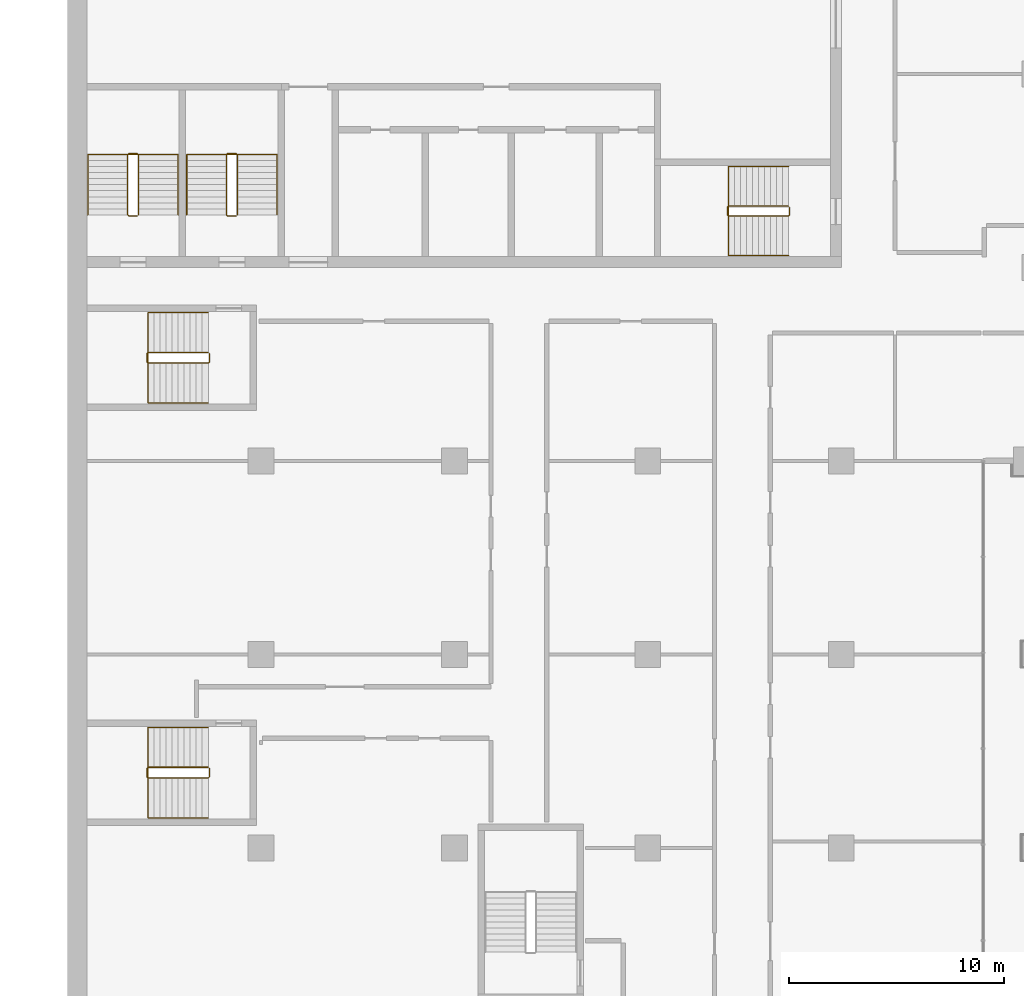
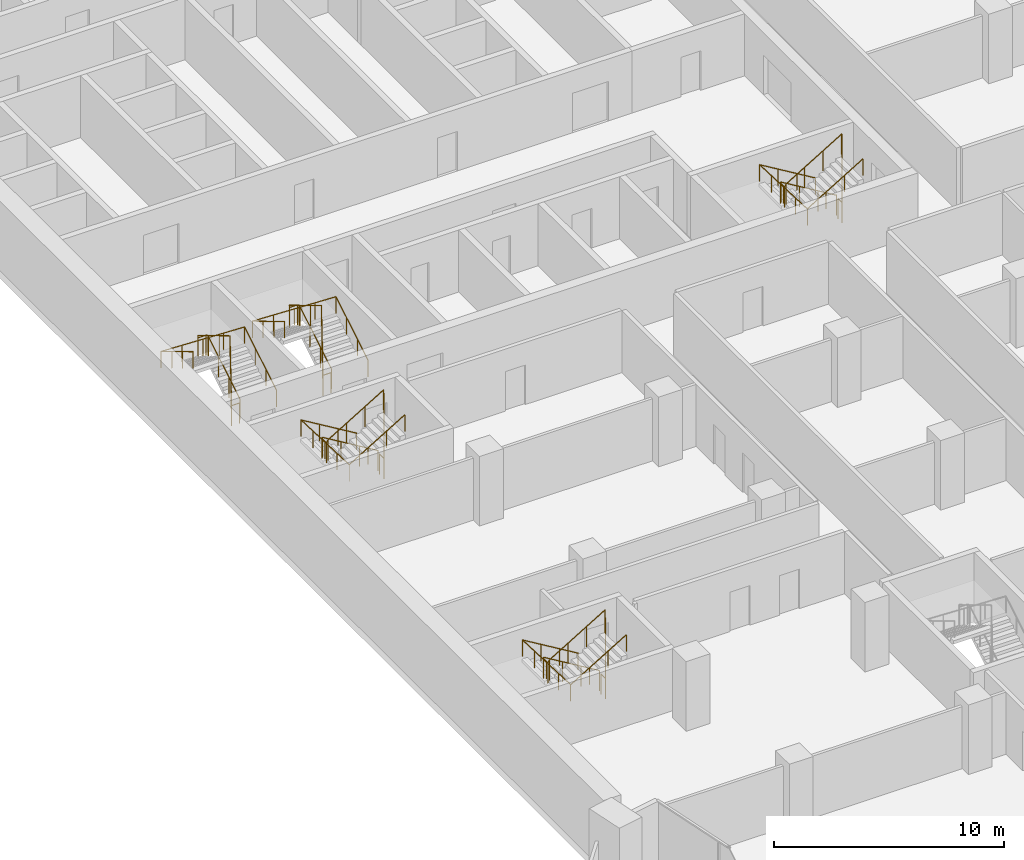
# One storey, part 21 of 23: 10 railings.
"""IFC4 building model written with IfcOpenShell, lengths in metres."""

from ifc_helpers import new_model, si_unit, direction, frame, origin, origin_2d, place, context, subcontext, project, spatial, circle, extrude, material, type_object, element, save


model = new_model("IFC4")

# Units and contexts
model_context = context("Model", 3, precision=1e-05, world=origin(), true_north=direction((0.0, 1.0)))
body_context = subcontext(model_context, "Body", "Model", "MODEL_VIEW")
ifc_project = project(units=[si_unit("LENGTHUNIT", "METRE"), si_unit("AREAUNIT", "SQUARE_METRE"), si_unit("VOLUMEUNIT", "CUBIC_METRE"), si_unit("PLANEANGLEUNIT", "RADIAN"), si_unit("MASSUNIT", "GRAM", prefix="KILO")], contexts=[model_context])

# Site, building, storey
site_placement = place(None, origin())
site = spatial("IfcSite", under=ifc_project, at=site_placement, CompositionType="ELEMENT")
building_placement = place(site_placement, origin())
building = spatial("IfcBuilding", under=site, at=building_placement, Name="Hunhe Ridgeline Campus", CompositionType="ELEMENT")
storey_placement = place(building_placement, frame((0.0, 0.0, 148.60009765625)))
storey = spatial("IfcBuildingStorey", under=building, at=storey_placement, Name="L37", CompositionType="ELEMENT", Elevation=148.60009765625)

# Railings
ifc_material_1 = material(Name="Stainless steel balustrade", Category="steel")
railing_type_1 = type_object("IfcRailingType", Name="Stair guard 1100 stainless", PredefinedType="GUARDRAIL", material=ifc_material_1)
railing_1_placement = place(storey_placement, frame((33.550048828125, 65.85009765625, 0.16796875)))
element("IfcRailing", 1, at=railing_1_placement, inside=storey, type_object=railing_type_1, Name="L37 stair S2 guard", PredefinedType="GUARDRAIL", context=body_context, shape_type="SweptSolid", body=[
    extrude(circle(Radius=0.02392578125, at=origin_2d()), frame((0.0, 0.0, 1.076171875), z_axis=(-0.857242210791, 0.0, 0.514913383045), x_axis=(0.0, -1.0, 0.0)), (0.0, 0.0, 1.0), 3.266357421875),
    extrude(circle(Radius=0.02392578125, at=origin_2d()), frame((-2.800048828125, 0.0, 2.7578125), z_axis=(-0.707106781187, -0.707106781187, 0.0), x_axis=(0.707106781187, -0.707106781187, 0.0)), (0.0, 0.0, 1.0), 0.07080078125),
    extrude(circle(Radius=0.02392578125, at=origin_2d()), frame((-2.85009765625, -0.050048828125, 2.7578125), z_axis=(0.0, -1.0, 0.0), x_axis=(1.0, 0.0, 0.0)), (0.0, 0.0, 1.0), 0.35009765625),
    extrude(circle(Radius=0.02392578125, at=origin_2d()), frame((-2.85009765625, -0.400146484375, 2.7578125), z_axis=(0.274243871929, -0.274243871929, 0.92172696468), x_axis=(0.707106781187, 0.707106781187, 0.0)), (0.0, 0.0, 1.0), 0.1826171875),
    extrude(circle(Radius=0.02392578125, at=origin_2d()), frame((-2.800048828125, -0.4501953125, 2.92626953125), z_axis=(0.857242210791, 0.0, 0.514913383045), x_axis=(0.0, 1.0, 0.0)), (0.0, 0.0, 1.0), 3.266357421875),
    extrude(circle(Radius=0.02392578125, at=origin_2d()), frame((0.0, -0.4501953125, 4.60791015625), z_axis=(0.013524414389, 0.013524414389, -0.999817073484), x_axis=(-0.707106781187, 0.707106781187, 0.0)), (0.0, 0.0, 1.0), 3.70068359375),
    extrude(circle(Radius=0.02392578125, at=origin_2d()), frame((0.050048828125, -0.400146484375, 0.908203125), z_axis=(0.0, 1.0, 0.0), x_axis=(-1.0, 0.0, 0.0)), (0.0, 0.0, 1.0), 0.35009765625),
    extrude(circle(Radius=0.02099609375, at=origin_2d()), origin(), (0.0, 0.0, 1.0), 1.052001953125),
    extrude(circle(Radius=0.02099609375, at=origin_2d()), frame((-0.933349609375, 0.0, 0.560546875)), (0.0, 0.0, 1.0), 1.052001953125),
    extrude(circle(Radius=0.02099609375, at=origin_2d()), frame((-1.86669921875, 0.0, 1.121337890625)), (0.0, 0.0, 1.0), 1.052001953125),
    extrude(circle(Radius=0.02099609375, at=origin_2d()), frame((-2.800048828125, 0.0, 1.681884765625)), (0.0, 0.0, 1.0), 1.052001953125),
    extrude(circle(Radius=0.02099609375, at=origin_2d()), frame((-2.85009765625, -0.050048828125, 1.681884765625)), (0.0, 0.0, 1.0), 1.052001953125),
    extrude(circle(Radius=0.02099609375, at=origin_2d()), frame((-2.85009765625, -0.400146484375, 1.681884765625)), (0.0, 0.0, 1.0), 1.052001953125),
    extrude(circle(Radius=0.02099609375, at=origin_2d()), frame((-2.800048828125, -0.4501953125, 1.85009765625)), (0.0, 0.0, 1.0), 1.052001953125),
    extrude(circle(Radius=0.02099609375, at=origin_2d()), frame((-1.86669921875, -0.4501953125, 2.41064453125)), (0.0, 0.0, 1.0), 1.052001953125),
    extrude(circle(Radius=0.02099609375, at=origin_2d()), frame((-0.933349609375, -0.4501953125, 2.971435546875)), (0.0, 0.0, 1.0), 1.052001953125),
    extrude(circle(Radius=0.02099609375, at=origin_2d()), frame((0.0, -0.4501953125, 3.531982421875)), (0.0, 0.0, 1.0), 1.052001953125),
    extrude(circle(Radius=0.02099609375, at=origin_2d()), frame((0.012451171875, -0.437744140625, 2.60693359375)), (0.0, 0.0, 1.0), 1.052001953125),
    extrude(circle(Radius=0.02099609375, at=origin_2d()), frame((0.02490234375, -0.42529296875, 1.68212890625)), (0.0, 0.0, 1.0), 1.052001953125),
    extrude(circle(Radius=0.02099609375, at=origin_2d()), frame((0.03759765625, -0.41259765625, 0.757080078125)), (0.0, 0.0, 1.0), 1.052001953125),
    extrude(circle(Radius=0.02099609375, at=origin_2d()), frame((0.050048828125, -0.400146484375, -0.16796875)), (0.0, 0.0, 1.0), 1.052001953125),
    extrude(circle(Radius=0.02099609375, at=origin_2d()), frame((0.050048828125, -0.050048828125, -0.16796875)), (0.0, 0.0, 1.0), 1.052001953125),
])
railing_2_placement = place(storey_placement, frame((3.300048828125, 65.449951171875, 0.16796875)))
element("IfcRailing", 2, at=railing_2_placement, inside=storey, type_object=railing_type_1, Name="L37 stair S3 guard", PredefinedType="GUARDRAIL", context=body_context, shape_type="SweptSolid", body=[
    extrude(circle(Radius=0.02392578125, at=origin_2d()), frame((0.0, 0.0, 1.076171875), z_axis=(0.0, 0.857242210791, 0.514913383045), x_axis=(-1.0, 0.0, 0.0)), (0.0, 0.0, 1.0), 3.266357421875),
    extrude(circle(Radius=0.02392578125, at=origin_2d()), frame((0.0, 2.800048828125, 2.7578125), z_axis=(-0.707106781187, 0.707106781187, 0.0), x_axis=(-0.707106781187, -0.707106781187, 0.0)), (0.0, 0.0, 1.0), 0.07080078125),
    extrude(circle(Radius=0.02392578125, at=origin_2d()), frame((-0.050048828125, 2.85009765625, 2.7578125), z_axis=(-1.0, 0.0, 0.0), x_axis=(0.0, -1.0, 0.0)), (0.0, 0.0, 1.0), 0.39990234375),
    extrude(circle(Radius=0.02392578125, at=origin_2d()), frame((-0.449951171875, 2.85009765625, 2.7578125), z_axis=(-0.274243871929, -0.274243871929, 0.92172696468), x_axis=(0.707106781187, -0.707106781187, 0.0)), (0.0, 0.0, 1.0), 0.1826171875),
    extrude(circle(Radius=0.02392578125, at=origin_2d()), frame((-0.5, 2.800048828125, 2.92626953125), z_axis=(0.0, -0.857242210791, 0.514913383045), x_axis=(1.0, 0.0, 0.0)), (0.0, 0.0, 1.0), 3.266357421875),
    extrude(circle(Radius=0.02392578125, at=origin_2d()), frame((-0.5, 0.0, 4.60791015625), z_axis=(0.013524414389, -0.013524414389, -0.999817073484), x_axis=(0.707106781187, 0.707106781187, 0.0)), (0.0, 0.0, 1.0), 3.70068359375),
    extrude(circle(Radius=0.02392578125, at=origin_2d()), frame((-0.449951171875, -0.050048828125, 0.908203125), z_axis=(1.0, 0.0, 0.0), x_axis=(0.0, 1.0, 0.0)), (0.0, 0.0, 1.0), 0.39990234375),
    extrude(circle(Radius=0.02099609375, at=origin_2d()), origin(), (0.0, 0.0, 1.0), 1.052001953125),
    extrude(circle(Radius=0.02099609375, at=origin_2d()), frame((0.0, 0.933349609375, 0.560546875)), (0.0, 0.0, 1.0), 1.052001953125),
    extrude(circle(Radius=0.02099609375, at=origin_2d()), frame((0.0, 1.86669921875, 1.121337890625)), (0.0, 0.0, 1.0), 1.052001953125),
    extrude(circle(Radius=0.02099609375, at=origin_2d()), frame((0.0, 2.800048828125, 1.681884765625)), (0.0, 0.0, 1.0), 1.052001953125),
    extrude(circle(Radius=0.02099609375, at=origin_2d()), frame((-0.050048828125, 2.85009765625, 1.681884765625)), (0.0, 0.0, 1.0), 1.052001953125),
    extrude(circle(Radius=0.02099609375, at=origin_2d()), frame((-0.449951171875, 2.85009765625, 1.681884765625)), (0.0, 0.0, 1.0), 1.052001953125),
    extrude(circle(Radius=0.02099609375, at=origin_2d()), frame((-0.5, 2.800048828125, 1.85009765625)), (0.0, 0.0, 1.0), 1.052001953125),
    extrude(circle(Radius=0.02099609375, at=origin_2d()), frame((-0.5, 1.86669921875, 2.41064453125)), (0.0, 0.0, 1.0), 1.052001953125),
    extrude(circle(Radius=0.02099609375, at=origin_2d()), frame((-0.5, 0.933349609375, 2.971435546875)), (0.0, 0.0, 1.0), 1.052001953125),
    extrude(circle(Radius=0.02099609375, at=origin_2d()), frame((-0.5, 0.0, 3.531982421875)), (0.0, 0.0, 1.0), 1.052001953125),
    extrude(circle(Radius=0.02099609375, at=origin_2d()), frame((-0.487548828125, -0.012451171875, 2.60693359375)), (0.0, 0.0, 1.0), 1.052001953125),
    extrude(circle(Radius=0.02099609375, at=origin_2d()), frame((-0.47509765625, -0.02490234375, 1.68212890625)), (0.0, 0.0, 1.0), 1.052001953125),
    extrude(circle(Radius=0.02099609375, at=origin_2d()), frame((-0.46240234375, -0.03759765625, 0.757080078125)), (0.0, 0.0, 1.0), 1.052001953125),
    extrude(circle(Radius=0.02099609375, at=origin_2d()), frame((-0.449951171875, -0.050048828125, -0.16796875)), (0.0, 0.0, 1.0), 1.052001953125),
    extrude(circle(Radius=0.02099609375, at=origin_2d()), frame((-0.050048828125, -0.050048828125, -0.16796875)), (0.0, 0.0, 1.0), 1.052001953125),
])
railing_3_placement = place(storey_placement, frame((7.89990234375, 65.449951171875, 0.16796875)))
element("IfcRailing", 3, at=railing_3_placement, inside=storey, type_object=railing_type_1, Name="L37 stair S4 guard", PredefinedType="GUARDRAIL", context=body_context, shape_type="SweptSolid", body=[
    extrude(circle(Radius=0.02392578125, at=origin_2d()), frame((0.0, 0.0, 1.076171875), z_axis=(0.0, 0.857242210791, 0.514913383045), x_axis=(-1.0, 0.0, 0.0)), (0.0, 0.0, 1.0), 3.266357421875),
    extrude(circle(Radius=0.02392578125, at=origin_2d()), frame((0.0, 2.800048828125, 2.7578125), z_axis=(-0.705375805398, 0.708833529934, 0.0), x_axis=(-0.708833529934, -0.705375805398, 0.0)), (0.0, 0.0, 1.0), 0.070556640625),
    extrude(circle(Radius=0.02392578125, at=origin_2d()), frame((-0.0498046875, 2.85009765625, 2.7578125), z_axis=(-1.0, 0.0, 0.0), x_axis=(0.0, -1.0, 0.0)), (0.0, 0.0, 1.0), 0.400146484375),
    extrude(circle(Radius=0.02392578125, at=origin_2d()), frame((-0.449951171875, 2.85009765625, 2.7578125), z_axis=(-0.274243871929, -0.274243871929, 0.92172696468), x_axis=(0.707106781187, -0.707106781187, 0.0)), (0.0, 0.0, 1.0), 0.1826171875),
    extrude(circle(Radius=0.02392578125, at=origin_2d()), frame((-0.5, 2.800048828125, 2.92626953125), z_axis=(0.0, -0.857242210791, 0.514913383045), x_axis=(1.0, 0.0, 0.0)), (0.0, 0.0, 1.0), 3.266357421875),
    extrude(circle(Radius=0.02392578125, at=origin_2d()), frame((-0.5, 0.0, 4.60791015625), z_axis=(0.013524414389, -0.013524414389, -0.999817073484), x_axis=(0.707106781187, 0.707106781187, 0.0)), (0.0, 0.0, 1.0), 3.70068359375),
    extrude(circle(Radius=0.02392578125, at=origin_2d()), frame((-0.449951171875, -0.050048828125, 0.908203125), z_axis=(1.0, 0.0, 0.0), x_axis=(0.0, 1.0, 0.0)), (0.0, 0.0, 1.0), 0.400146484375),
    extrude(circle(Radius=0.02099609375, at=origin_2d()), origin(), (0.0, 0.0, 1.0), 1.052001953125),
    extrude(circle(Radius=0.02099609375, at=origin_2d()), frame((0.0, 0.933349609375, 0.560546875)), (0.0, 0.0, 1.0), 1.052001953125),
    extrude(circle(Radius=0.02099609375, at=origin_2d()), frame((0.0, 1.86669921875, 1.121337890625)), (0.0, 0.0, 1.0), 1.052001953125),
    extrude(circle(Radius=0.02099609375, at=origin_2d()), frame((0.0, 2.800048828125, 1.681884765625)), (0.0, 0.0, 1.0), 1.052001953125),
    extrude(circle(Radius=0.02099609375, at=origin_2d()), frame((-0.0498046875, 2.85009765625, 1.681884765625)), (0.0, 0.0, 1.0), 1.052001953125),
    extrude(circle(Radius=0.02099609375, at=origin_2d()), frame((-0.449951171875, 2.85009765625, 1.681884765625)), (0.0, 0.0, 1.0), 1.052001953125),
    extrude(circle(Radius=0.02099609375, at=origin_2d()), frame((-0.5, 2.800048828125, 1.85009765625)), (0.0, 0.0, 1.0), 1.052001953125),
    extrude(circle(Radius=0.02099609375, at=origin_2d()), frame((-0.5, 1.86669921875, 2.41064453125)), (0.0, 0.0, 1.0), 1.052001953125),
    extrude(circle(Radius=0.02099609375, at=origin_2d()), frame((-0.5, 0.933349609375, 2.971435546875)), (0.0, 0.0, 1.0), 1.052001953125),
    extrude(circle(Radius=0.02099609375, at=origin_2d()), frame((-0.5, 0.0, 3.531982421875)), (0.0, 0.0, 1.0), 1.052001953125),
    extrude(circle(Radius=0.02099609375, at=origin_2d()), frame((-0.487548828125, -0.012451171875, 2.60693359375)), (0.0, 0.0, 1.0), 1.052001953125),
    extrude(circle(Radius=0.02099609375, at=origin_2d()), frame((-0.47509765625, -0.02490234375, 1.68212890625)), (0.0, 0.0, 1.0), 1.052001953125),
    extrude(circle(Radius=0.02099609375, at=origin_2d()), frame((-0.46240234375, -0.03759765625, 0.757080078125)), (0.0, 0.0, 1.0), 1.052001953125),
    extrude(circle(Radius=0.02099609375, at=origin_2d()), frame((-0.449951171875, -0.050048828125, -0.16796875)), (0.0, 0.0, 1.0), 1.052001953125),
    extrude(circle(Radius=0.02099609375, at=origin_2d()), frame((-0.0498046875, -0.050048828125, -0.16796875)), (0.0, 0.0, 1.0), 1.052001953125),
])
railing_4_placement = place(storey_placement, frame((6.550048828125, 39.75, 0.16796875)))
element("IfcRailing", 4, at=railing_4_placement, inside=storey, type_object=railing_type_1, Name="L37 stair W1 guard", PredefinedType="GUARDRAIL", context=body_context, shape_type="SweptSolid", body=[
    extrude(circle(Radius=0.02392578125, at=origin_2d()), frame((0.0, 0.0, 1.076171875), z_axis=(-0.857242210791, 0.0, 0.514913383045), x_axis=(0.0, -1.0, 0.0)), (0.0, 0.0, 1.0), 3.266357421875),
    extrude(circle(Radius=0.02392578125, at=origin_2d()), frame((-2.800048828125, 0.0, 2.7578125), z_axis=(-0.707106781187, -0.707106781187, 0.0), x_axis=(0.707106781187, -0.707106781187, 0.0)), (0.0, 0.0, 1.0), 0.07080078125),
    extrude(circle(Radius=0.02392578125, at=origin_2d()), frame((-2.85009765625, -0.050048828125, 2.7578125), z_axis=(0.0, -1.0, 0.0), x_axis=(1.0, 0.0, 0.0)), (0.0, 0.0, 1.0), 0.39990234375),
    extrude(circle(Radius=0.02392578125, at=origin_2d()), frame((-2.85009765625, -0.449951171875, 2.7578125), z_axis=(0.274243871929, -0.274243871929, 0.92172696468), x_axis=(0.707106781187, 0.707106781187, 0.0)), (0.0, 0.0, 1.0), 0.1826171875),
    extrude(circle(Radius=0.02392578125, at=origin_2d()), frame((-2.800048828125, -0.5, 2.92626953125), z_axis=(0.857242210791, 0.0, 0.514913383045), x_axis=(0.0, 1.0, 0.0)), (0.0, 0.0, 1.0), 3.266357421875),
    extrude(circle(Radius=0.02392578125, at=origin_2d()), frame((0.0, -0.5, 4.60791015625), z_axis=(0.013524414389, 0.013524414389, -0.999817073484), x_axis=(-0.707106781187, 0.707106781187, 0.0)), (0.0, 0.0, 1.0), 3.70068359375),
    extrude(circle(Radius=0.02392578125, at=origin_2d()), frame((0.050048828125, -0.449951171875, 0.908203125), z_axis=(0.0, 1.0, 0.0), x_axis=(-1.0, 0.0, 0.0)), (0.0, 0.0, 1.0), 0.39990234375),
    extrude(circle(Radius=0.02099609375, at=origin_2d()), origin(), (0.0, 0.0, 1.0), 1.052001953125),
    extrude(circle(Radius=0.02099609375, at=origin_2d()), frame((-0.933349609375, 0.0, 0.560546875)), (0.0, 0.0, 1.0), 1.052001953125),
    extrude(circle(Radius=0.02099609375, at=origin_2d()), frame((-1.86669921875, 0.0, 1.121337890625)), (0.0, 0.0, 1.0), 1.052001953125),
    extrude(circle(Radius=0.02099609375, at=origin_2d()), frame((-2.800048828125, 0.0, 1.681884765625)), (0.0, 0.0, 1.0), 1.052001953125),
    extrude(circle(Radius=0.02099609375, at=origin_2d()), frame((-2.85009765625, -0.050048828125, 1.681884765625)), (0.0, 0.0, 1.0), 1.052001953125),
    extrude(circle(Radius=0.02099609375, at=origin_2d()), frame((-2.85009765625, -0.449951171875, 1.681884765625)), (0.0, 0.0, 1.0), 1.052001953125),
    extrude(circle(Radius=0.02099609375, at=origin_2d()), frame((-2.800048828125, -0.5, 1.85009765625)), (0.0, 0.0, 1.0), 1.052001953125),
    extrude(circle(Radius=0.02099609375, at=origin_2d()), frame((-1.86669921875, -0.5, 2.41064453125)), (0.0, 0.0, 1.0), 1.052001953125),
    extrude(circle(Radius=0.02099609375, at=origin_2d()), frame((-0.933349609375, -0.5, 2.971435546875)), (0.0, 0.0, 1.0), 1.052001953125),
    extrude(circle(Radius=0.02099609375, at=origin_2d()), frame((0.0, -0.5, 3.531982421875)), (0.0, 0.0, 1.0), 1.052001953125),
    extrude(circle(Radius=0.02099609375, at=origin_2d()), frame((0.012451171875, -0.487548828125, 2.60693359375)), (0.0, 0.0, 1.0), 1.052001953125),
    extrude(circle(Radius=0.02099609375, at=origin_2d()), frame((0.02490234375, -0.47509765625, 1.68212890625)), (0.0, 0.0, 1.0), 1.052001953125),
    extrude(circle(Radius=0.02099609375, at=origin_2d()), frame((0.03759765625, -0.46240234375, 0.757080078125)), (0.0, 0.0, 1.0), 1.052001953125),
    extrude(circle(Radius=0.02099609375, at=origin_2d()), frame((0.050048828125, -0.449951171875, -0.16796875)), (0.0, 0.0, 1.0), 1.052001953125),
    extrude(circle(Radius=0.02099609375, at=origin_2d()), frame((0.050048828125, -0.050048828125, -0.16796875)), (0.0, 0.0, 1.0), 1.052001953125),
])
railing_5_placement = place(storey_placement, frame((6.550048828125, 59.050048828125, 0.16796875)))
element("IfcRailing", 5, at=railing_5_placement, inside=storey, type_object=railing_type_1, Name="L37 stair W2 guard", PredefinedType="GUARDRAIL", context=body_context, shape_type="SweptSolid", body=[
    extrude(circle(Radius=0.02392578125, at=origin_2d()), frame((0.0, 0.0, 1.076171875), z_axis=(-0.857242210791, 0.0, 0.514913383045), x_axis=(0.0, -1.0, 0.0)), (0.0, 0.0, 1.0), 3.266357421875),
    extrude(circle(Radius=0.02392578125, at=origin_2d()), frame((-2.800048828125, 0.0, 2.7578125), z_axis=(-0.707106781187, -0.707106781187, 0.0), x_axis=(0.707106781187, -0.707106781187, 0.0)), (0.0, 0.0, 1.0), 0.07080078125),
    extrude(circle(Radius=0.02392578125, at=origin_2d()), frame((-2.85009765625, -0.050048828125, 2.7578125), z_axis=(0.0, -1.0, 0.0), x_axis=(1.0, 0.0, 0.0)), (0.0, 0.0, 1.0), 0.39990234375),
    extrude(circle(Radius=0.02392578125, at=origin_2d()), frame((-2.85009765625, -0.449951171875, 2.7578125), z_axis=(0.274243871929, -0.274243871929, 0.92172696468), x_axis=(0.707106781187, 0.707106781187, 0.0)), (0.0, 0.0, 1.0), 0.1826171875),
    extrude(circle(Radius=0.02392578125, at=origin_2d()), frame((-2.800048828125, -0.5, 2.92626953125), z_axis=(0.857242210791, 0.0, 0.514913383045), x_axis=(0.0, 1.0, 0.0)), (0.0, 0.0, 1.0), 3.266357421875),
    extrude(circle(Radius=0.02392578125, at=origin_2d()), frame((0.0, -0.5, 4.60791015625), z_axis=(0.013524414389, 0.013524414389, -0.999817073484), x_axis=(-0.707106781187, 0.707106781187, 0.0)), (0.0, 0.0, 1.0), 3.70068359375),
    extrude(circle(Radius=0.02392578125, at=origin_2d()), frame((0.050048828125, -0.449951171875, 0.908203125), z_axis=(0.0, 1.0, 0.0), x_axis=(-1.0, 0.0, 0.0)), (0.0, 0.0, 1.0), 0.39990234375),
    extrude(circle(Radius=0.02099609375, at=origin_2d()), origin(), (0.0, 0.0, 1.0), 1.052001953125),
    extrude(circle(Radius=0.02099609375, at=origin_2d()), frame((-0.933349609375, 0.0, 0.560546875)), (0.0, 0.0, 1.0), 1.052001953125),
    extrude(circle(Radius=0.02099609375, at=origin_2d()), frame((-1.86669921875, 0.0, 1.121337890625)), (0.0, 0.0, 1.0), 1.052001953125),
    extrude(circle(Radius=0.02099609375, at=origin_2d()), frame((-2.800048828125, 0.0, 1.681884765625)), (0.0, 0.0, 1.0), 1.052001953125),
    extrude(circle(Radius=0.02099609375, at=origin_2d()), frame((-2.85009765625, -0.050048828125, 1.681884765625)), (0.0, 0.0, 1.0), 1.052001953125),
    extrude(circle(Radius=0.02099609375, at=origin_2d()), frame((-2.85009765625, -0.449951171875, 1.681884765625)), (0.0, 0.0, 1.0), 1.052001953125),
    extrude(circle(Radius=0.02099609375, at=origin_2d()), frame((-2.800048828125, -0.5, 1.85009765625)), (0.0, 0.0, 1.0), 1.052001953125),
    extrude(circle(Radius=0.02099609375, at=origin_2d()), frame((-1.86669921875, -0.5, 2.41064453125)), (0.0, 0.0, 1.0), 1.052001953125),
    extrude(circle(Radius=0.02099609375, at=origin_2d()), frame((-0.933349609375, -0.5, 2.971435546875)), (0.0, 0.0, 1.0), 1.052001953125),
    extrude(circle(Radius=0.02099609375, at=origin_2d()), frame((0.0, -0.5, 3.531982421875)), (0.0, 0.0, 1.0), 1.052001953125),
    extrude(circle(Radius=0.02099609375, at=origin_2d()), frame((0.012451171875, -0.487548828125, 2.60693359375)), (0.0, 0.0, 1.0), 1.052001953125),
    extrude(circle(Radius=0.02099609375, at=origin_2d()), frame((0.02490234375, -0.47509765625, 1.68212890625)), (0.0, 0.0, 1.0), 1.052001953125),
    extrude(circle(Radius=0.02099609375, at=origin_2d()), frame((0.03759765625, -0.46240234375, 0.757080078125)), (0.0, 0.0, 1.0), 1.052001953125),
    extrude(circle(Radius=0.02099609375, at=origin_2d()), frame((0.050048828125, -0.449951171875, -0.16796875)), (0.0, 0.0, 1.0), 1.052001953125),
    extrude(circle(Radius=0.02099609375, at=origin_2d()), frame((0.050048828125, -0.050048828125, -0.16796875)), (0.0, 0.0, 1.0), 1.052001953125),
])
ifc_material_2 = material(Name="Stainless steel handrail", Category="steel")
railing_type_2 = type_object("IfcRailingType", Name="Stair handrail 900 stainless", PredefinedType="HANDRAIL", material=ifc_material_2)
railing_6_placement = place(storey_placement, frame((33.550048828125, 67.699951171875, 0.16796875)))
element("IfcRailing", 6, at=railing_6_placement, inside=storey, type_object=railing_type_2, Name="L37 stair S2 handrail", PredefinedType="HANDRAIL", context=body_context, shape_type="SweptSolid", body=[
    extrude(circle(Radius=0.02392578125, at=origin_2d()), frame((0.0, 0.0, 0.8759765625), z_axis=(-0.857242210791, 0.0, 0.514913383045), x_axis=(0.0, -1.0, 0.0)), (0.0, 0.0, 1.0), 3.266357421875),
    extrude(circle(Radius=0.02392578125, at=origin_2d()), frame((-2.800048828125, 0.0, 2.5576171875), z_axis=(0.0, -0.99917950104, 0.040500922239), x_axis=(1.0, 0.0, 0.0)), (0.0, 0.0, 1.0), 4.1533203125),
    extrude(circle(Radius=0.02392578125, at=origin_2d()), frame((-2.800048828125, -4.14990234375, 2.72607421875), z_axis=(0.857242210791, 0.0, 0.514913383045), x_axis=(0.0, 1.0, 0.0)), (0.0, 0.0, 1.0), 3.266357421875),
    extrude(circle(Radius=0.02099609375, at=origin_2d()), origin(), (0.0, 0.0, 1.0), 0.851806640625),
    extrude(circle(Radius=0.02099609375, at=origin_2d()), frame((-0.933349609375, 0.0, 0.560546875)), (0.0, 0.0, 1.0), 0.851806640625),
    extrude(circle(Radius=0.02099609375, at=origin_2d()), frame((-1.86669921875, 0.0, 1.121337890625)), (0.0, 0.0, 1.0), 0.851806640625),
    extrude(circle(Radius=0.02099609375, at=origin_2d()), frame((-2.800048828125, 0.0, 1.681884765625)), (0.0, 0.0, 1.0), 0.851806640625),
    extrude(circle(Radius=0.02099609375, at=origin_2d()), frame((-2.800048828125, -1.03759765625, 1.723876953125)), (0.0, 0.0, 1.0), 0.851806640625),
    extrude(circle(Radius=0.02099609375, at=origin_2d()), frame((-2.800048828125, -2.074951171875, 1.76611328125)), (0.0, 0.0, 1.0), 0.851806640625),
    extrude(circle(Radius=0.02099609375, at=origin_2d()), frame((-2.800048828125, -3.1123046875, 1.80810546875)), (0.0, 0.0, 1.0), 0.851806640625),
    extrude(circle(Radius=0.02099609375, at=origin_2d()), frame((-2.800048828125, -4.14990234375, 1.85009765625)), (0.0, 0.0, 1.0), 0.851806640625),
    extrude(circle(Radius=0.02099609375, at=origin_2d()), frame((-1.86669921875, -4.14990234375, 2.41064453125)), (0.0, 0.0, 1.0), 0.851806640625),
    extrude(circle(Radius=0.02099609375, at=origin_2d()), frame((-0.933349609375, -4.14990234375, 2.971435546875)), (0.0, 0.0, 1.0), 0.851806640625),
    extrude(circle(Radius=0.02099609375, at=origin_2d()), frame((0.0, -4.14990234375, 3.531982421875)), (0.0, 0.0, 1.0), 0.851806640625),
])
railing_7_placement = place(storey_placement, frame((5.14990234375, 65.449951171875, 0.16796875)))
element("IfcRailing", 7, at=railing_7_placement, inside=storey, type_object=railing_type_2, Name="L37 stair S3 handrail", PredefinedType="HANDRAIL", context=body_context, shape_type="SweptSolid", body=[
    extrude(circle(Radius=0.02392578125, at=origin_2d()), frame((0.0, 0.0, 0.8759765625), z_axis=(0.0, 0.857242210791, 0.514913383045), x_axis=(-1.0, 0.0, 0.0)), (0.0, 0.0, 1.0), 3.266357421875),
    extrude(circle(Radius=0.02392578125, at=origin_2d()), frame((0.0, 2.800048828125, 2.5576171875), z_axis=(-0.999198916169, 0.0, 0.040019069537), x_axis=(0.0, -1.0, 0.0)), (0.0, 0.0, 1.0), 4.203369140625),
    extrude(circle(Radius=0.02392578125, at=origin_2d()), frame((-4.199951171875, 2.800048828125, 2.72607421875), z_axis=(0.0, -0.857242210791, 0.514913383045), x_axis=(1.0, 0.0, 0.0)), (0.0, 0.0, 1.0), 3.266357421875),
    extrude(circle(Radius=0.02099609375, at=origin_2d()), origin(), (0.0, 0.0, 1.0), 0.851806640625),
    extrude(circle(Radius=0.02099609375, at=origin_2d()), frame((0.0, 0.933349609375, 0.560546875)), (0.0, 0.0, 1.0), 0.851806640625),
    extrude(circle(Radius=0.02099609375, at=origin_2d()), frame((0.0, 1.86669921875, 1.121337890625)), (0.0, 0.0, 1.0), 0.851806640625),
    extrude(circle(Radius=0.02099609375, at=origin_2d()), frame((0.0, 2.800048828125, 1.681884765625)), (0.0, 0.0, 1.0), 0.851806640625),
    extrude(circle(Radius=0.02099609375, at=origin_2d()), frame((-1.050048828125, 2.800048828125, 1.723876953125)), (0.0, 0.0, 1.0), 0.851806640625),
    extrude(circle(Radius=0.02099609375, at=origin_2d()), frame((-2.10009765625, 2.800048828125, 1.76611328125)), (0.0, 0.0, 1.0), 0.851806640625),
    extrude(circle(Radius=0.02099609375, at=origin_2d()), frame((-3.14990234375, 2.800048828125, 1.80810546875)), (0.0, 0.0, 1.0), 0.851806640625),
    extrude(circle(Radius=0.02099609375, at=origin_2d()), frame((-4.199951171875, 2.800048828125, 1.85009765625)), (0.0, 0.0, 1.0), 0.851806640625),
    extrude(circle(Radius=0.02099609375, at=origin_2d()), frame((-4.199951171875, 1.86669921875, 2.41064453125)), (0.0, 0.0, 1.0), 0.851806640625),
    extrude(circle(Radius=0.02099609375, at=origin_2d()), frame((-4.199951171875, 0.933349609375, 2.971435546875)), (0.0, 0.0, 1.0), 0.851806640625),
    extrude(circle(Radius=0.02099609375, at=origin_2d()), frame((-4.199951171875, 0.0, 3.531982421875)), (0.0, 0.0, 1.0), 0.851806640625),
])
railing_8_placement = place(storey_placement, frame((9.75, 65.449951171875, 0.16796875)))
element("IfcRailing", 8, at=railing_8_placement, inside=storey, type_object=railing_type_2, Name="L37 stair S4 handrail", PredefinedType="HANDRAIL", context=body_context, shape_type="SweptSolid", body=[
    extrude(circle(Radius=0.02392578125, at=origin_2d()), frame((0.0, 0.0, 0.8759765625), z_axis=(0.0, 0.857242210791, 0.514913383045), x_axis=(-1.0, 0.0, 0.0)), (0.0, 0.0, 1.0), 3.266357421875),
    extrude(circle(Radius=0.02392578125, at=origin_2d()), frame((0.0, 2.800048828125, 2.5576171875), z_axis=(-0.999198916169, 0.0, 0.040019069537), x_axis=(0.0, -1.0, 0.0)), (0.0, 0.0, 1.0), 4.203369140625),
    extrude(circle(Radius=0.02392578125, at=origin_2d()), frame((-4.199951171875, 2.800048828125, 2.72607421875), z_axis=(0.0, -0.857242210791, 0.514913383045), x_axis=(1.0, 0.0, 0.0)), (0.0, 0.0, 1.0), 3.266357421875),
    extrude(circle(Radius=0.02099609375, at=origin_2d()), origin(), (0.0, 0.0, 1.0), 0.851806640625),
    extrude(circle(Radius=0.02099609375, at=origin_2d()), frame((0.0, 0.933349609375, 0.560546875)), (0.0, 0.0, 1.0), 0.851806640625),
    extrude(circle(Radius=0.02099609375, at=origin_2d()), frame((0.0, 1.86669921875, 1.121337890625)), (0.0, 0.0, 1.0), 0.851806640625),
    extrude(circle(Radius=0.02099609375, at=origin_2d()), frame((0.0, 2.800048828125, 1.681884765625)), (0.0, 0.0, 1.0), 0.851806640625),
    extrude(circle(Radius=0.02099609375, at=origin_2d()), frame((-1.050048828125, 2.800048828125, 1.723876953125)), (0.0, 0.0, 1.0), 0.851806640625),
    extrude(circle(Radius=0.02099609375, at=origin_2d()), frame((-2.10009765625, 2.800048828125, 1.76611328125)), (0.0, 0.0, 1.0), 0.851806640625),
    extrude(circle(Radius=0.02099609375, at=origin_2d()), frame((-3.14990234375, 2.800048828125, 1.80810546875)), (0.0, 0.0, 1.0), 0.851806640625),
    extrude(circle(Radius=0.02099609375, at=origin_2d()), frame((-4.199951171875, 2.800048828125, 1.85009765625)), (0.0, 0.0, 1.0), 0.851806640625),
    extrude(circle(Radius=0.02099609375, at=origin_2d()), frame((-4.199951171875, 1.86669921875, 2.41064453125)), (0.0, 0.0, 1.0), 0.851806640625),
    extrude(circle(Radius=0.02099609375, at=origin_2d()), frame((-4.199951171875, 0.933349609375, 2.971435546875)), (0.0, 0.0, 1.0), 0.851806640625),
    extrude(circle(Radius=0.02099609375, at=origin_2d()), frame((-4.199951171875, 0.0, 3.531982421875)), (0.0, 0.0, 1.0), 0.851806640625),
])
railing_9_placement = place(storey_placement, frame((6.550048828125, 41.60009765625, 0.16796875)))
element("IfcRailing", 9, at=railing_9_placement, inside=storey, type_object=railing_type_2, Name="L37 stair W1 handrail", PredefinedType="HANDRAIL", context=body_context, shape_type="SweptSolid", body=[
    extrude(circle(Radius=0.02392578125, at=origin_2d()), frame((0.0, 0.0, 0.8759765625), z_axis=(-0.857242210791, 0.0, 0.514913383045), x_axis=(0.0, -1.0, 0.0)), (0.0, 0.0, 1.0), 3.266357421875),
    extrude(circle(Radius=0.02392578125, at=origin_2d()), frame((-2.800048828125, 0.0, 2.5576171875), z_axis=(0.0, -0.999199009182, 0.040016747113), x_axis=(1.0, 0.0, 0.0)), (0.0, 0.0, 1.0), 4.20361328125),
    extrude(circle(Radius=0.02392578125, at=origin_2d()), frame((-2.800048828125, -4.2001953125, 2.72607421875), z_axis=(0.857242210791, 0.0, 0.514913383045), x_axis=(0.0, 1.0, 0.0)), (0.0, 0.0, 1.0), 3.266357421875),
    extrude(circle(Radius=0.02099609375, at=origin_2d()), origin(), (0.0, 0.0, 1.0), 0.851806640625),
    extrude(circle(Radius=0.02099609375, at=origin_2d()), frame((-0.933349609375, 0.0, 0.560546875)), (0.0, 0.0, 1.0), 0.851806640625),
    extrude(circle(Radius=0.02099609375, at=origin_2d()), frame((-1.86669921875, 0.0, 1.121337890625)), (0.0, 0.0, 1.0), 0.851806640625),
    extrude(circle(Radius=0.02099609375, at=origin_2d()), frame((-2.800048828125, 0.0, 1.681884765625)), (0.0, 0.0, 1.0), 0.851806640625),
    extrude(circle(Radius=0.02099609375, at=origin_2d()), frame((-2.800048828125, -1.050048828125, 1.723876953125)), (0.0, 0.0, 1.0), 0.851806640625),
    extrude(circle(Radius=0.02099609375, at=origin_2d()), frame((-2.800048828125, -2.10009765625, 1.76611328125)), (0.0, 0.0, 1.0), 0.851806640625),
    extrude(circle(Radius=0.02099609375, at=origin_2d()), frame((-2.800048828125, -3.150146484375, 1.80810546875)), (0.0, 0.0, 1.0), 0.851806640625),
    extrude(circle(Radius=0.02099609375, at=origin_2d()), frame((-2.800048828125, -4.2001953125, 1.85009765625)), (0.0, 0.0, 1.0), 0.851806640625),
    extrude(circle(Radius=0.02099609375, at=origin_2d()), frame((-1.86669921875, -4.2001953125, 2.41064453125)), (0.0, 0.0, 1.0), 0.851806640625),
    extrude(circle(Radius=0.02099609375, at=origin_2d()), frame((-0.933349609375, -4.2001953125, 2.971435546875)), (0.0, 0.0, 1.0), 0.851806640625),
    extrude(circle(Radius=0.02099609375, at=origin_2d()), frame((0.0, -4.2001953125, 3.531982421875)), (0.0, 0.0, 1.0), 0.851806640625),
])
railing_10_placement = place(storey_placement, frame((6.550048828125, 60.89990234375, 0.16796875)))
element("IfcRailing", 10, at=railing_10_placement, inside=storey, type_object=railing_type_2, Name="L37 stair W2 handrail", PredefinedType="HANDRAIL", context=body_context, shape_type="SweptSolid", body=[
    extrude(circle(Radius=0.02392578125, at=origin_2d()), frame((0.0, 0.0, 0.8759765625), z_axis=(-0.857242210791, 0.0, 0.514913383045), x_axis=(0.0, -1.0, 0.0)), (0.0, 0.0, 1.0), 3.266357421875),
    extrude(circle(Radius=0.02392578125, at=origin_2d()), frame((-2.800048828125, 0.0, 2.5576171875), z_axis=(0.0, -0.999198916169, 0.040019069537), x_axis=(1.0, 0.0, 0.0)), (0.0, 0.0, 1.0), 4.203369140625),
    extrude(circle(Radius=0.02392578125, at=origin_2d()), frame((-2.800048828125, -4.199951171875, 2.72607421875), z_axis=(0.857242210791, 0.0, 0.514913383045), x_axis=(0.0, 1.0, 0.0)), (0.0, 0.0, 1.0), 3.266357421875),
    extrude(circle(Radius=0.02099609375, at=origin_2d()), origin(), (0.0, 0.0, 1.0), 0.851806640625),
    extrude(circle(Radius=0.02099609375, at=origin_2d()), frame((-0.933349609375, 0.0, 0.560546875)), (0.0, 0.0, 1.0), 0.851806640625),
    extrude(circle(Radius=0.02099609375, at=origin_2d()), frame((-1.86669921875, 0.0, 1.121337890625)), (0.0, 0.0, 1.0), 0.851806640625),
    extrude(circle(Radius=0.02099609375, at=origin_2d()), frame((-2.800048828125, 0.0, 1.681884765625)), (0.0, 0.0, 1.0), 0.851806640625),
    extrude(circle(Radius=0.02099609375, at=origin_2d()), frame((-2.800048828125, -1.050048828125, 1.723876953125)), (0.0, 0.0, 1.0), 0.851806640625),
    extrude(circle(Radius=0.02099609375, at=origin_2d()), frame((-2.800048828125, -2.10009765625, 1.76611328125)), (0.0, 0.0, 1.0), 0.851806640625),
    extrude(circle(Radius=0.02099609375, at=origin_2d()), frame((-2.800048828125, -3.14990234375, 1.80810546875)), (0.0, 0.0, 1.0), 0.851806640625),
    extrude(circle(Radius=0.02099609375, at=origin_2d()), frame((-2.800048828125, -4.199951171875, 1.85009765625)), (0.0, 0.0, 1.0), 0.851806640625),
    extrude(circle(Radius=0.02099609375, at=origin_2d()), frame((-1.86669921875, -4.199951171875, 2.41064453125)), (0.0, 0.0, 1.0), 0.851806640625),
    extrude(circle(Radius=0.02099609375, at=origin_2d()), frame((-0.933349609375, -4.199951171875, 2.971435546875)), (0.0, 0.0, 1.0), 0.851806640625),
    extrude(circle(Radius=0.02099609375, at=origin_2d()), frame((0.0, -4.199951171875, 3.531982421875)), (0.0, 0.0, 1.0), 0.851806640625),
])

save(model, "model.ifc")
